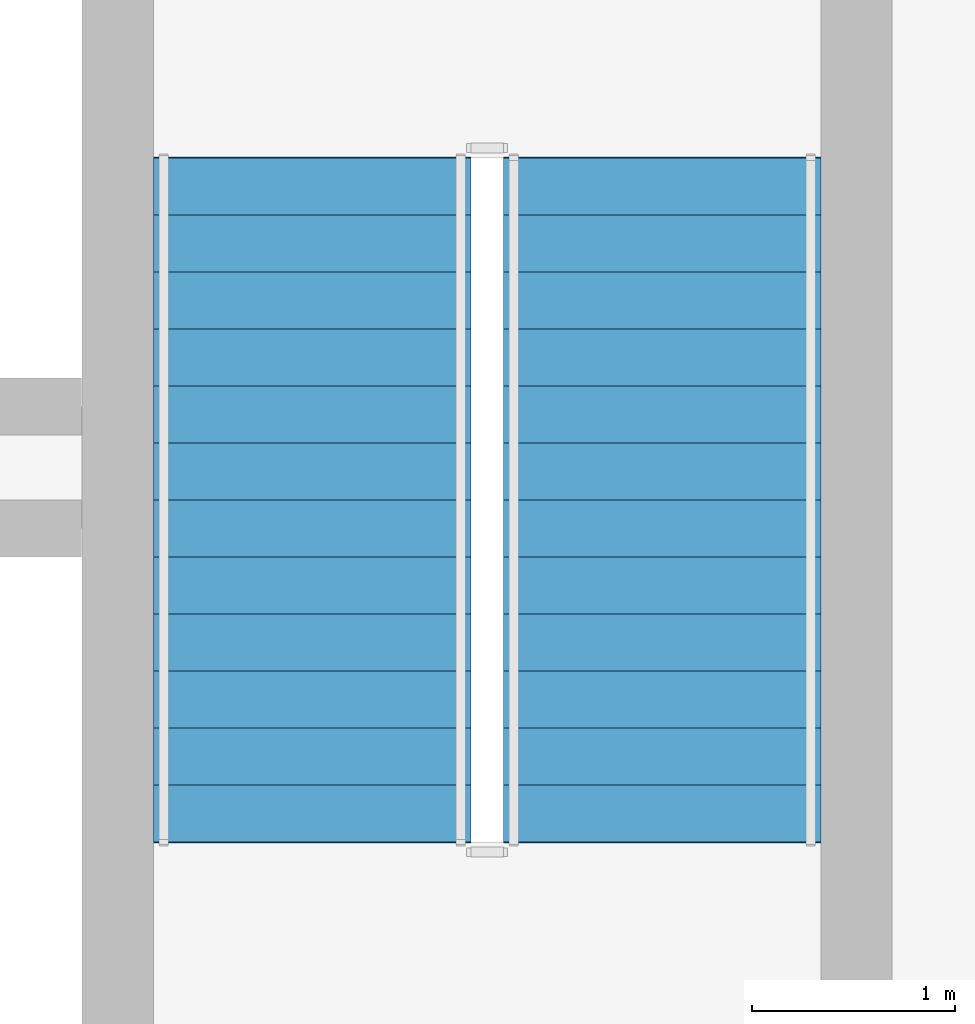
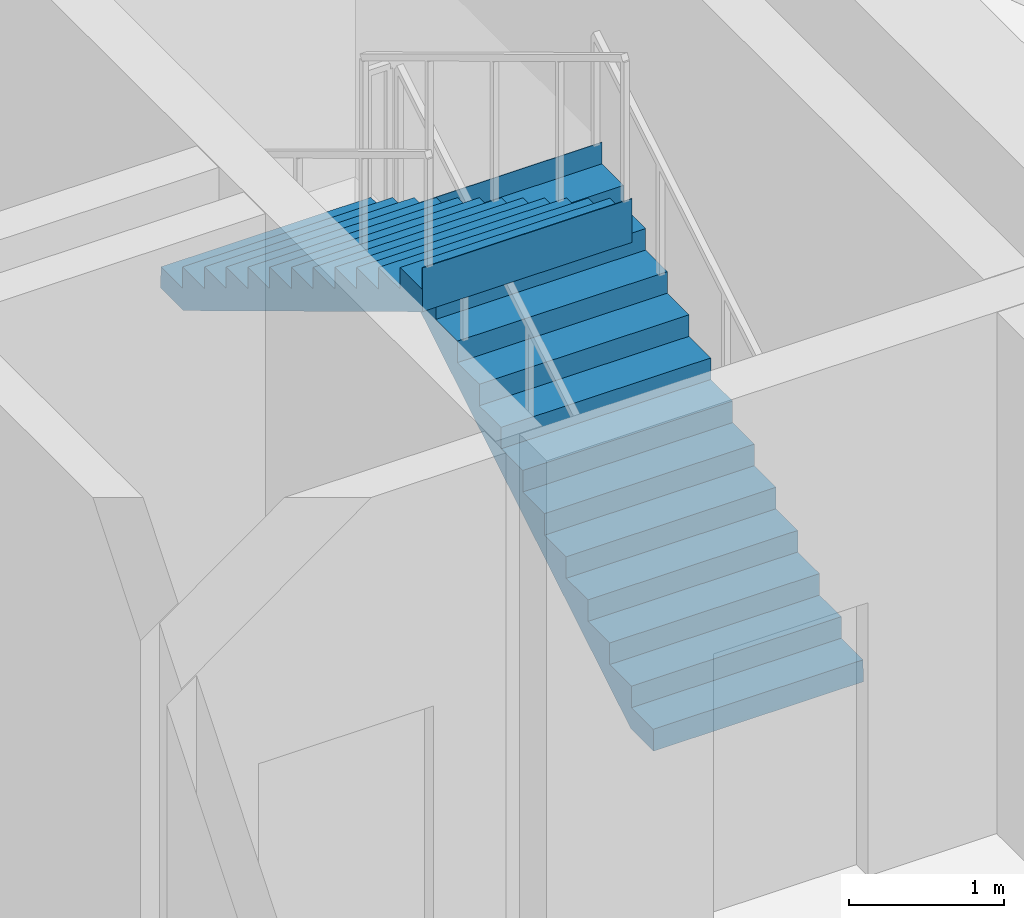
# One storey, part 8 of 12: 2 stair flights, 1 element without a shape of its own.
"""IFC4 building model written with IfcOpenShell, lengths in metres."""

from ifc_helpers import new_model, si_unit, direction, frame, origin, place, context, subcontext, project, spatial, polyline, outline, extrude, material, type_object, element, aggregate, save


model = new_model("IFC4")

# Units and contexts
model_context = context("Model", 3, precision=1e-05, world=origin(), true_north=direction((0.0, 1.0)))
body_context = subcontext(model_context, "Body", "Model", "MODEL_VIEW")
ifc_project = project(units=[si_unit("LENGTHUNIT", "METRE"), si_unit("AREAUNIT", "SQUARE_METRE"), si_unit("VOLUMEUNIT", "CUBIC_METRE"), si_unit("PLANEANGLEUNIT", "RADIAN"), si_unit("MASSUNIT", "GRAM", prefix="KILO")], contexts=[model_context])

# Site, building, storey
site_placement = place(None, origin())
site = spatial("IfcSite", under=ifc_project, at=site_placement, CompositionType="ELEMENT")
building_placement = place(site_placement, origin())
building = spatial("IfcBuilding", under=site, at=building_placement, Name="Kaelvorn Grand Hotel", CompositionType="ELEMENT")
storey_placement = place(building_placement, frame((0.0, 0.0, 285.89990234375)))
storey = spatial("IfcBuildingStorey", under=building, at=storey_placement, Name="L70", CompositionType="ELEMENT", Elevation=285.89990234375)

# Stair, stair flights
ifc_material = material(Name="Concrete C40/50", Category="concrete")
stair_type = type_object("IfcStairType", Name="STR-DOG-1560-R10", PredefinedType="HALF_TURN_STAIR", material=ifc_material)
stair_placement = place(storey_placement, origin())
stair = element("IfcStair", 1, at=stair_placement, inside=storey, type_object=stair_type, Name="L70 East Core Exit Stair ST3", PredefinedType="HALF_TURN_STAIR")
stair_flight_type = type_object("IfcStairFlightType", Name="FLG-DOG-1560-R10", PredefinedType="STRAIGHT", material=ifc_material)
stair_flight_1_placement = place(storey_placement, frame((65.820068359375, 41.760009765625, 0.0), z_axis=(0.0, 0.0, 1.0), x_axis=(0.0, 1.0, 0.0)))
stair_flight_1 = element("IfcStairFlight", 2, at=stair_flight_1_placement, type_object=stair_flight_type, Name="ST3 flight 1", NumberOfRisers=13, NumberOfTreads=12, PredefinedType="STRAIGHT", RiserHeight=0.169230769, TreadLength=0.28, context=body_context, shape_type="SweptSolid", body=[
    extrude(outline(polyline([(-0.0048828125, 0.0), (-0.0048828125, 0.0400390625), (0.0, 0.169189453125), (0.280029296875, 0.169189453125), (0.280029296875, 0.33837890625), (0.56005859375, 0.33837890625), (0.56005859375, 0.5078125), (0.840087890625, 0.5078125), (0.840087890625, 0.677001953125), (1.1201171875, 0.677001953125), (1.1201171875, 0.84619140625), (1.39990234375, 0.84619140625), (1.39990234375, 1.015380859375), (1.679931640625, 1.015380859375), (1.679931640625, 1.1845703125), (1.9599609375, 1.1845703125), (1.9599609375, 1.353759765625), (2.239990234375, 1.353759765625), (2.239990234375, 1.523193359375), (2.52001953125, 1.523193359375), (2.52001953125, 1.6923828125), (2.800048828125, 1.6923828125), (2.800048828125, 1.861572265625), (3.080078125, 1.861572265625), (3.080078125, 2.03076171875), (3.360107421875, 2.03076171875), (3.360107421875, 2.199951171875), (3.364990234375, 2.199951171875), (3.364990234375, 1.855712890625), (0.289794921875, 0.0), (-0.0048828125, 0.0)])), frame((0.0, 0.780029296875, 0.0), z_axis=(0.0, -1.0, 0.0), x_axis=(1.0, 0.0, 0.0)), (0.0, 0.0, 1.0), 1.56005859375),
])
stair_flight_2_placement = place(storey_placement, frame((64.10009765625, 45.1201171875, 2.2001953125), z_axis=(0.0, 0.0, 1.0), x_axis=(0.0, -1.0, 0.0)))
stair_flight_2 = element("IfcStairFlight", 3, at=stair_flight_2_placement, type_object=stair_flight_type, Name="ST3 flight 2", NumberOfRisers=13, NumberOfTreads=12, PredefinedType="STRAIGHT", RiserHeight=0.169230769, TreadLength=0.28, context=body_context, shape_type="SweptSolid", body=[
    extrude(outline(polyline([(-0.0048828125, 0.0), (-0.0048828125, 0.0400390625), (0.0, 0.169189453125), (0.280029296875, 0.169189453125), (0.280029296875, 0.33837890625), (0.56005859375, 0.33837890625), (0.56005859375, 0.5078125), (0.840087890625, 0.5078125), (0.840087890625, 0.677001953125), (1.1201171875, 0.677001953125), (1.1201171875, 0.84619140625), (1.39990234375, 0.84619140625), (1.39990234375, 1.015380859375), (1.679931640625, 1.015380859375), (1.679931640625, 1.1845703125), (1.9599609375, 1.1845703125), (1.9599609375, 1.353759765625), (2.239990234375, 1.353759765625), (2.239990234375, 1.523193359375), (2.52001953125, 1.523193359375), (2.52001953125, 1.6923828125), (2.800048828125, 1.6923828125), (2.800048828125, 1.861572265625), (3.080078125, 1.861572265625), (3.080078125, 2.03076171875), (3.360107421875, 2.03076171875), (3.360107421875, 2.199951171875), (3.364990234375, 2.199951171875), (3.364990234375, 1.855712890625), (0.289794921875, 0.0), (-0.0048828125, 0.0)])), frame((0.0, 0.780029296875, 0.0), z_axis=(0.0, -1.0, 0.0), x_axis=(1.0, 0.0, 0.0)), (0.0, 0.0, 1.0), 1.56005859375),
])
aggregate(stair, [stair_flight_1, stair_flight_2])

save(model, "model.ifc")
